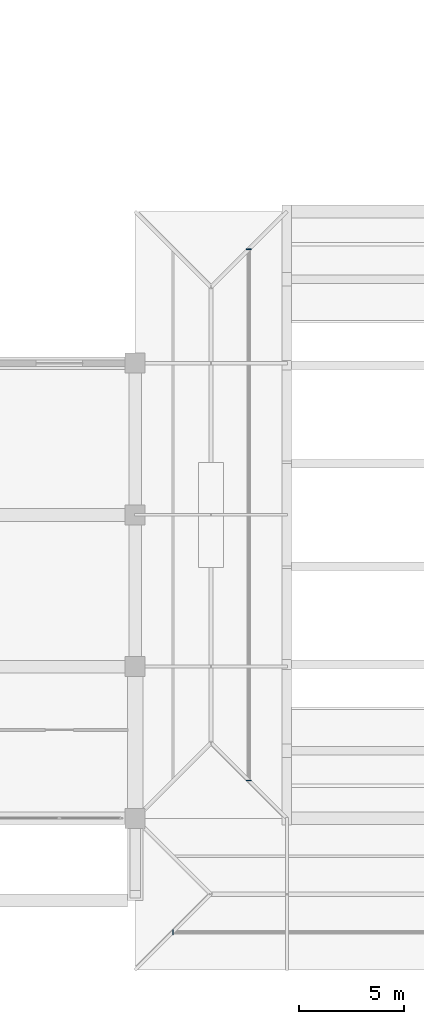
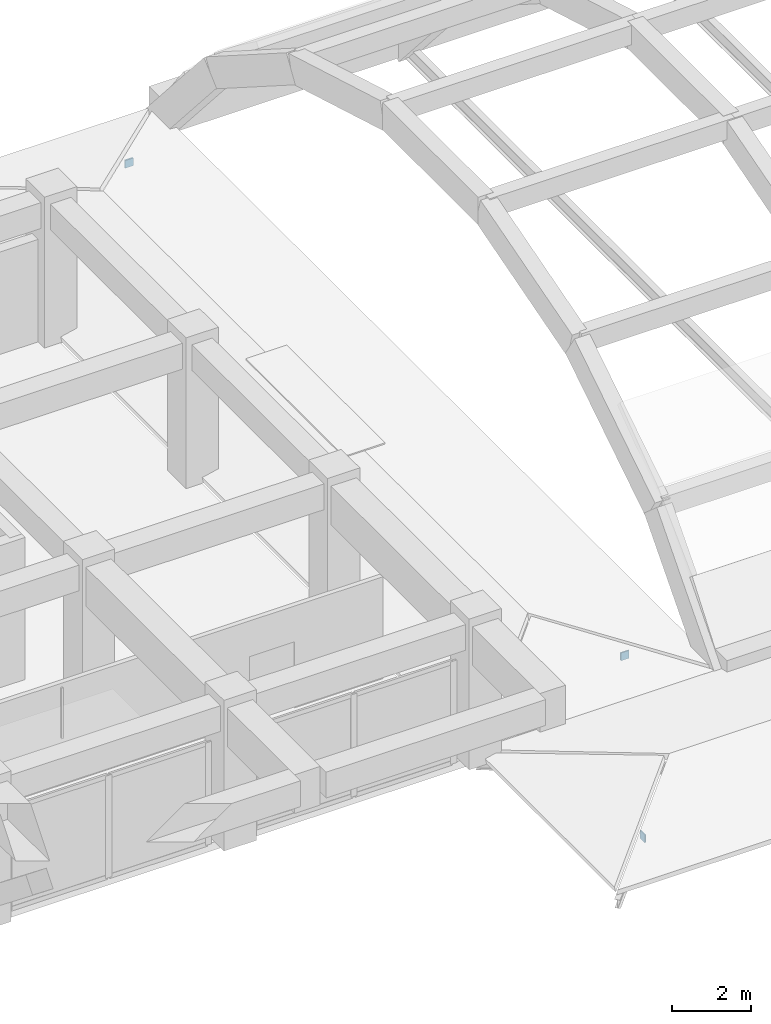
# One storey, part 46 of 54: 3 discrete accessories.
"""IFC4 building model written with IfcOpenShell, lengths in metres."""

import ifcopenshell
import ifcopenshell.guid

model = None  # the IFC model being written
_history = None  # IfcOwnerHistory: only IFC2X3 demands one
_inside = {}  # id of a spatial element -> (the spatial element, [elements in it])
_under = {}  # id of a project, library or spatial element -> (it, [spatial elements below it])
_declared = {}  # id of a project -> (the project, [libraries it declares])
_typed = {}  # id of a type object -> (the type object, [elements of that type])
_made_of = {}  # id of a material, layer set ... -> (it, [elements and type objects made of it])


def new_model(schema):
    """Start an empty IFC model of exactly this schema.

    Asked for "IFC4X3", IfcOpenShell would pick the latest addendum, in which some entities
    have other attributes; the version numbers below select the first issue.
    IFC2X3 requires an IfcOwnerHistory on every rooted entity: one is made here for all.
    """
    global model, _history
    if schema == "IFC4X3":
        model = ifcopenshell.file(schema_version=(4, 3, 0, 0))
    else:
        model = ifcopenshell.file(schema=schema)
    _inside.clear()
    _under.clear()
    _declared.clear()
    _typed.clear()
    _made_of.clear()
    _history = None
    if model.schema == "IFC2X3":
        org = make("IfcOrganization", Name="unknown")
        user = make(
            "IfcPersonAndOrganization",
            ThePerson=make("IfcPerson", FamilyName="unknown"),
            TheOrganization=org,
        )
        app = make(
            "IfcApplication",
            ApplicationDeveloper=org,
            Version="unknown",
            ApplicationFullName="unknown",
            ApplicationIdentifier="unknown",
        )
        _history = make(
            "IfcOwnerHistory",
            OwningUser=user,
            OwningApplication=app,
            ChangeAction="ADDED",
            CreationDate=0,
        )
    return model


def make(cls, **values):
    """One entity of the class cls with the attributes given. An attribute that is None is left unset."""
    return model.create_entity(
        cls, **{name: value for name, value in values.items() if value is not None}
    )


def rooted(cls, **values):
    """An entity with a GlobalId (a new one), such as an element, a storey or a relation."""
    return make(cls, GlobalId=ifcopenshell.guid.new(), OwnerHistory=_history, **values)


def si_unit(unit_type, name, prefix=None):
    """IfcSIUnit, for example si_unit("LENGTHUNIT", "METRE", prefix="MILLI")."""
    return make("IfcSIUnit", UnitType=unit_type, Prefix=prefix, Name=name)


def assignment(units):
    """IfcUnitAssignment: the units of a project."""
    return None if units is None else make("IfcUnitAssignment", Units=units)


def point(xyz):
    """IfcCartesianPoint."""
    return None if xyz is None else make("IfcCartesianPoint", Coordinates=xyz)


def direction(xyz):
    """IfcDirection."""
    return None if xyz is None else make("IfcDirection", DirectionRatios=xyz)


def frame(location, z_axis=None, x_axis=None):
    """IfcAxis2Placement3D, a coordinate frame: its origin and axes. An axis left out is left unset."""
    return make(
        "IfcAxis2Placement3D",
        Location=point(location),
        Axis=direction(z_axis),
        RefDirection=direction(x_axis),
    )


def frame_2d(location, x_axis=None):
    """IfcAxis2Placement2D, a coordinate frame in the plane: its origin and x axis."""
    return make(
        "IfcAxis2Placement2D", Location=point(location), RefDirection=direction(x_axis)
    )


def origin():
    """The frame at (0, 0, 0) with its axes left unset."""
    return frame((0.0, 0.0, 0.0))


def origin_2d():
    """The frame at (0, 0) in the plane with its x axis left unset."""
    return frame_2d((0.0, 0.0))


def place(relative_to, where):
    """IfcLocalPlacement: puts the frame where relative to a parent placement (None: the world)."""
    return make(
        "IfcLocalPlacement", PlacementRelTo=relative_to, RelativePlacement=where
    )


def context(
    kind, dimensions, precision=None, world=None, true_north=None, identifier=None
):
    """IfcGeometricRepresentationContext, for example the 3D "Model" context."""
    return make(
        "IfcGeometricRepresentationContext",
        ContextIdentifier=identifier,
        ContextType=kind,
        CoordinateSpaceDimension=dimensions,
        Precision=precision,
        WorldCoordinateSystem=world,
        TrueNorth=true_north,
    )


def subcontext(parent, identifier, kind, view, scale=None):
    """IfcGeometricRepresentationSubContext, for example "Body" below "Model"."""
    return make(
        "IfcGeometricRepresentationSubContext",
        ContextIdentifier=identifier,
        ContextType=kind,
        ParentContext=parent,
        TargetScale=scale,
        TargetView=view,
    )


def project(units=None, contexts=None):
    """IfcProject with its units and contexts."""
    return rooted(
        "IfcProject",
        Name="project",
        RepresentationContexts=contexts,
        UnitsInContext=assignment(units),
    )


def spatial(cls, under=None, at=None, **own):
    """A site, building, storey or space (cls), placed at a placement, below another one or the project."""
    s = rooted(cls, ObjectPlacement=at, **own)
    if under is not None:
        _under.setdefault(under.id(), (under, []))[1].append(s)
    return s


def profile(cls, at=None, kind="AREA", **sizes):
    """A parametric profile (cls). Its sizes go by their IFC names, for example OverallWidth=200.0."""
    return make(cls, ProfileType=kind, Position=at, **sizes)


def rectangle(**sizes):
    """IfcRectangleProfileDef."""
    return profile("IfcRectangleProfileDef", **sizes)


def extrude(swept, where, along, depth):
    """IfcExtrudedAreaSolid: the profile swept, set in the frame where, extruded along a direction by depth."""
    return make(
        "IfcExtrudedAreaSolid",
        SweptArea=swept,
        Position=where,
        ExtrudedDirection=direction(along),
        Depth=depth,
    )


def shape(context_of_items, identifier, shape_type, items):
    """IfcShapeRepresentation: the items that make up one representation, for example the "Body"."""
    return make(
        "IfcShapeRepresentation",
        ContextOfItems=context_of_items,
        RepresentationIdentifier=identifier,
        RepresentationType=shape_type,
        Items=items,
    )


def material(Name=None, Category=None):
    """IfcMaterial."""
    return make("IfcMaterial", Name=Name, Category=Category)


def made_of(thing, what):
    """Note that an element or type object is made of a material, layer set ...; save() writes the relation."""
    if what is not None:
        _made_of.setdefault(what.id(), (what, []))[1].append(thing)
    return thing


def type_object(cls, material=None, **own):
    """A type object (cls), such as IfcWallType, which elements share."""
    return made_of(rooted(cls, **own), material)


def element(
    cls,
    number,
    at=None,
    inside=None,
    cuts=None,
    type_object=None,
    material=None,
    context=None,
    identifier="Body",
    shape_type=None,
    held_by="IfcProductDefinitionShape",
    body=None,
    shapes=None,
    **own,
):
    """One element of the class cls, such as IfcWall. Its Tag is "e" and its number.

    at: its placement. inside: the storey or other place that contains it. cuts: it is an
    opening in that element (IfcRelVoidsElement). A single representation is given by context,
    identifier, shape_type and body (its items); several are given by shapes. held_by: the class
    of the entity that holds the representations. save() writes the other relations.
    """
    e = rooted(cls, Tag="e%d" % number, ObjectPlacement=at, **own)
    if body is not None:
        shapes = [shape(context, identifier, shape_type, body)]
    if shapes is not None:
        e.Representation = make(held_by, Representations=shapes)
    if inside is not None:
        _inside.setdefault(inside.id(), (inside, []))[1].append(e)
    if cuts is not None:
        rooted(
            "IfcRelVoidsElement", RelatingBuildingElement=cuts, RelatedOpeningElement=e
        )
    if type_object is not None:
        _typed.setdefault(type_object.id(), (type_object, []))[1].append(e)
    return made_of(e, material)


def aggregate(whole, parts):
    """IfcRelAggregates: a whole, such as a stair, and the parts it consists of."""
    return rooted("IfcRelAggregates", RelatingObject=whole, RelatedObjects=parts)


def save(model, path):
    """Write the relations noted so far, then the file.

    IfcRelAggregates (storeys below a building ...), IfcRelContainedInSpatialStructure (elements
    in a storey), IfcRelDefinesByType, IfcRelAssociatesMaterial and IfcRelDeclares: one each for
    every whole, place, type object, material and project.
    """
    for whole, parts in _under.values():
        aggregate(whole, parts)
    for where, things in _inside.values():
        rooted(
            "IfcRelContainedInSpatialStructure",
            RelatedElements=things,
            RelatingStructure=where,
        )
    for kind, things in _typed.values():
        rooted("IfcRelDefinesByType", RelatedObjects=things, RelatingType=kind)
    for what, things in _made_of.values():
        rooted("IfcRelAssociatesMaterial", RelatedObjects=things, RelatingMaterial=what)
    for by, libraries in _declared.values():
        rooted("IfcRelDeclares", RelatingContext=by, RelatedDefinitions=libraries)
    model.write(path)


model = new_model("IFC4")

# Units and contexts
model_context = context("Model", 3, precision=1e-05, world=origin(), true_north=direction((0.0, 1.0)))
body_context = subcontext(model_context, "Body", "Model", "MODEL_VIEW")
ifc_project = project(units=[si_unit("LENGTHUNIT", "METRE"), si_unit("AREAUNIT", "SQUARE_METRE"), si_unit("VOLUMEUNIT", "CUBIC_METRE"), si_unit("PLANEANGLEUNIT", "RADIAN"), si_unit("MASSUNIT", "GRAM", prefix="KILO")], contexts=[model_context])

# Site, building, storey
site_placement = place(None, origin())
site = spatial("IfcSite", under=ifc_project, at=site_placement, CompositionType="ELEMENT")
building_placement = place(site_placement, origin())
building = spatial("IfcBuilding", under=site, at=building_placement, Name="Kazehaya Institute of Natural Sciences", CompositionType="ELEMENT")
storey_placement = place(building_placement, frame((0.0, 0.0, 10.43994140625)))
storey = spatial("IfcBuildingStorey", under=building, at=storey_placement, Name="L02", CompositionType="ELEMENT", Elevation=10.43994140625)

# Discrete accessories
ifc_material = material(Name="Structural steel SN490B", Category="steel")
discrete_accessory_type = type_object("IfcDiscreteAccessoryType", Name="ACC-STL-CAP", PredefinedType="BRACKET", material=ifc_material)
discrete_accessory_placement = place(storey_placement, frame((121.19189453125, 8.60009765625, 0.00927734375), z_axis=(0.0, 0.0, 1.0), x_axis=(1.0, 0.0, 0.0)))
element("IfcDiscreteAccessory", 1, at=discrete_accessory_placement, inside=storey, type_object=discrete_accessory_type, Name="ROOF-VOL1-FOYER hollow purlin welded end cap 3 W", PredefinedType="BRACKET", context=body_context, shape_type="SweptSolid", body=[
    extrude(rectangle(XDim=0.0400390625, YDim=0.239990234375, at=origin_2d()), origin(), (0.0, 0.0, 1.0), 0.239990234375),
])
for number, where, z_axis, x_axis, name in (
    (2, (124.800048828125, 15.7919921875, 0.00927734375), (0.0, 0.0, 1.0), (1.0, 0.0, 0.0), "ROOF-VOL1-LINK hollow purlin welded end cap 6 S"),
    (3, (124.800048828125, 41.008056640625, 0.00927734375), (0.0, 0.0, 1.0), (1.0, 0.0, 0.0), "ROOF-VOL1-LINK hollow purlin welded end cap 6 N"),
):
    element("IfcDiscreteAccessory", number, at=place(storey_placement, frame(where, z_axis=z_axis, x_axis=x_axis)), inside=storey, type_object=discrete_accessory_type, Name=name, PredefinedType="BRACKET", context=body_context, shape_type="SweptSolid", body=[
        extrude(rectangle(XDim=0.239990234375, YDim=0.0400390625, at=origin_2d()), origin(), (0.0, 0.0, 1.0), 0.239990234375),
    ])

save(model, "model.ifc")
